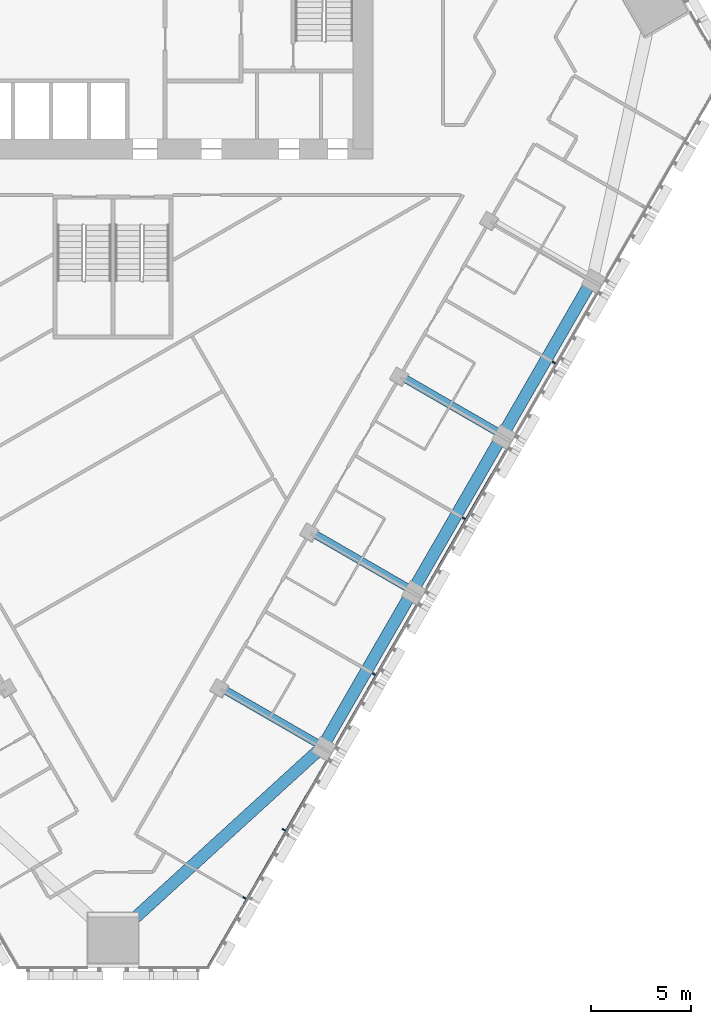
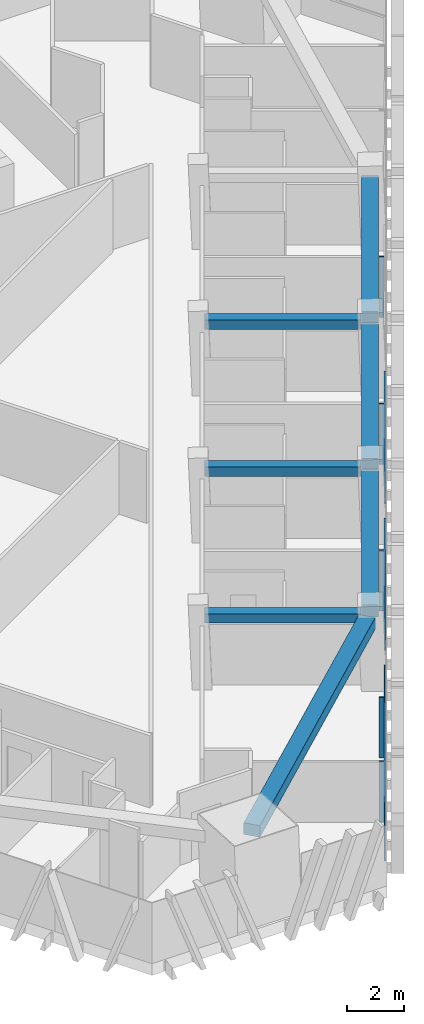
# One storey, part 4 of 18: 8 members, 7 beams, 1 element without a shape of its own.
"""IFC4 building model written with IfcOpenShell, lengths in metres."""

from ifc_helpers import new_model, si_unit, direction, frame, origin, origin_2d, place, context, subcontext, project, spatial, rectangle, extrude, material, layer, layer_set, material_profile, profile_set, type_object, element, aggregate, save


model = new_model("IFC4")

# Units and contexts
model_context = context("Model", 3, precision=1e-05, world=origin(), true_north=direction((0.0, 1.0)))
body_context = subcontext(model_context, "Body", "Model", "MODEL_VIEW")
ifc_project = project(units=[si_unit("LENGTHUNIT", "METRE"), si_unit("AREAUNIT", "SQUARE_METRE"), si_unit("VOLUMEUNIT", "CUBIC_METRE"), si_unit("PLANEANGLEUNIT", "RADIAN"), si_unit("MASSUNIT", "GRAM", prefix="KILO")], contexts=[model_context])

# Site, building, storey
site_placement = place(None, origin())
site = spatial("IfcSite", under=ifc_project, at=site_placement, CompositionType="ELEMENT")
building_placement = place(site_placement, origin())
building = spatial("IfcBuilding", under=site, at=building_placement, Name="Altiplano Prism Tower", CompositionType="ELEMENT")
storey_placement = place(building_placement, frame((0.0, 0.0, 48.60009765625)))
storey = spatial("IfcBuildingStorey", under=building, at=storey_placement, Name="L11", CompositionType="ELEMENT", Elevation=48.60009765625)

# Curtain wall, members
ifc_material_1 = material(Name="Aluminium and glass", Category="aluminium")
ifc_layer = layer(ifc_material_1, 0.280029296875)
ifc_layer_set = layer_set([ifc_layer], Name="Aluminium and glass")
curtain_wall_type = type_object("IfcCurtainWallType", Name="CW1 typical co-living unitised curtain wall", PredefinedType="NOTDEFINED", material=ifc_layer_set)
curtain_wall_placement = place(storey_placement, origin())
curtain_wall = element("IfcCurtainWall", 1, at=curtain_wall_placement, inside=storey, type_object=curtain_wall_type, Name="CW1 curtain wall south-east face L11", PredefinedType="NOTDEFINED")
ifc_material_2 = material(Name="Aluminium", Category="aluminium")
ifc_material_profile_1 = material_profile(ifc_material_2, rectangle(XDim=0.179931640625, YDim=0.06494140625, at=origin_2d()), Name="CW1 mullion 65 x 180")
ifc_profile_set_1 = profile_set([ifc_material_profile_1], Name="Aluminium")
member_type_1 = type_object("IfcMemberType", Name="CW1 mullion 65 x 180", PredefinedType="MULLION", material=ifc_profile_set_1)
member_1_placement = place(storey_placement, frame((91.5732421875, 55.427734375, 0.0), z_axis=(0.0, 0.0, 1.0), x_axis=(-0.866025410076, 0.499999989102, 0.0)))
member_1 = element("IfcMember", 2, at=member_1_placement, type_object=member_type_1, Name="CW1 mullion", PredefinedType="MULLION", context=body_context, shape_type="SweptSolid", body=[
    extrude(rectangle(XDim=0.179931640625, YDim=0.06494140625, at=origin_2d()), origin(), (0.0, 0.0, 1.0), 2.599853515625),
])
member_2_placement = place(storey_placement, frame((93.5419921875, 58.837890625, 0.0), z_axis=(0.0, 0.0, 1.0), x_axis=(-0.866025410076, 0.499999989102, 0.0)))
member_2 = element("IfcMember", 3, at=member_2_placement, type_object=member_type_1, Name="CW1 mullion", PredefinedType="MULLION", context=body_context, shape_type="SweptSolid", body=[
    extrude(rectangle(XDim=0.179931640625, YDim=0.06494140625, at=origin_2d()), origin(), (0.0, 0.0, 1.0), 2.599853515625),
])
member_3_placement = place(storey_placement, frame((98.0419921875, 66.632080078125, 0.0), z_axis=(0.0, 0.0, 1.0), x_axis=(-0.866025410076, 0.499999989102, 0.0)))
member_3 = element("IfcMember", 4, at=member_3_placement, type_object=member_type_1, Name="CW1 mullion", PredefinedType="MULLION", context=body_context, shape_type="SweptSolid", body=[
    extrude(rectangle(XDim=0.179931640625, YDim=0.06494140625, at=origin_2d()), origin(), (0.0, 0.0, 1.0), 2.599853515625),
])
member_4_placement = place(storey_placement, frame((102.5419921875, 74.42626953125, 0.0), z_axis=(0.0, 0.0, 1.0), x_axis=(-0.866025410076, 0.499999989102, 0.0)))
member_4 = element("IfcMember", 5, at=member_4_placement, type_object=member_type_1, Name="CW1 mullion", PredefinedType="MULLION", context=body_context, shape_type="SweptSolid", body=[
    extrude(rectangle(XDim=0.179931640625, YDim=0.06494140625, at=origin_2d()), origin(), (0.0, 0.0, 1.0), 2.599853515625),
])
member_5_placement = place(storey_placement, frame((107.0419921875, 82.220458984375, 0.0), z_axis=(0.0, 0.0, 1.0), x_axis=(-0.866025410076, 0.499999989102, 0.0)))
member_5 = element("IfcMember", 6, at=member_5_placement, type_object=member_type_1, Name="CW1 mullion", PredefinedType="MULLION", context=body_context, shape_type="SweptSolid", body=[
    extrude(rectangle(XDim=0.179931640625, YDim=0.06494140625, at=origin_2d()), origin(), (0.0, 0.0, 1.0), 2.599853515625),
])
ifc_material_profile_2 = material_profile(ifc_material_2, rectangle(XDim=0.06005859375, YDim=0.080078125, at=origin_2d()), Name="CW1 transom 80 x 60")
ifc_profile_set_2 = profile_set([ifc_material_profile_2], Name="Aluminium")
member_type_2 = type_object("IfcMemberType", Name="CW1 transom 80 x 60", PredefinedType="USERDEFINED", material=ifc_profile_set_2)
member_6_placement = place(storey_placement, frame((89.70849609375, 51.957763671875, 1.099853515625), z_axis=(0.499994793925, 0.866028409493, 0.0), x_axis=(-0.866028409493, 0.499994793925, 0.0)))
member_6 = element("IfcMember", 7, at=member_6_placement, type_object=member_type_2, Name="CW1 transom", ObjectType="TRANSOM", PredefinedType="USERDEFINED", context=body_context, shape_type="SweptSolid", body=[
    extrude(rectangle(XDim=0.06005859375, YDim=0.080078125, at=origin_2d()), origin(), (0.0, 0.0, 1.0), 11.924560546875),
])
member_7_placement = place(storey_placement, frame((96.16064453125, 63.133544921875, 1.099853515625), z_axis=(0.500012318566, 0.86601829154, 0.0), x_axis=(-0.86601829154, 0.500012318566, 0.0)))
member_7 = element("IfcMember", 8, at=member_7_placement, type_object=member_type_2, Name="CW1 transom", ObjectType="TRANSOM", PredefinedType="USERDEFINED", context=body_context, shape_type="SweptSolid", body=[
    extrude(rectangle(XDim=0.06005859375, YDim=0.080078125, at=origin_2d()), origin(), (0.0, 0.0, 1.0), 8.019775390625),
])
member_8_placement = place(storey_placement, frame((100.66064453125, 70.927734375, 1.099853515625), z_axis=(0.500012318566, 0.86601829154, 0.0), x_axis=(-0.86601829154, 0.500012318566, 0.0)))
member_8 = element("IfcMember", 9, at=member_8_placement, type_object=member_type_2, Name="CW1 transom", ObjectType="TRANSOM", PredefinedType="USERDEFINED", context=body_context, shape_type="SweptSolid", body=[
    extrude(rectangle(XDim=0.06005859375, YDim=0.080078125, at=origin_2d()), origin(), (0.0, 0.0, 1.0), 8.019775390625),
])
aggregate(curtain_wall, [member_1, member_2, member_6, member_3, member_7, member_4, member_8, member_5])

# Beams
ifc_material_3 = material(Name="Concrete C60/75", Category="concrete")
ifc_material_profile_3 = material_profile(ifc_material_3, rectangle(XDim=0.60009765625, YDim=0.5, at=origin_2d()), Name="Edge beam 600x500")
ifc_profile_set_3 = profile_set([ifc_material_profile_3], Name="Concrete C60/75")
beam_type_1 = type_object("IfcBeamType", Name="Edge beam 600x500", PredefinedType="SPANDREL", material=ifc_profile_set_3)
beam_placement = place(storey_placement, frame((85.332275390625, 53.736572265625, 2.849853515625), z_axis=(0.738656323258, 0.67408221762, 0.0), x_axis=(-0.67408221762, 0.738656323258, 0.0)))
element("IfcBeam", 10, at=beam_placement, inside=storey, type_object=beam_type_1, Name="Edge beam M1-P21 L12", PredefinedType="SPANDREL", context=body_context, shape_type="SweptSolid", body=[
    extrude(rectangle(XDim=0.60009765625, YDim=0.5, at=origin_2d()), origin(), (0.0, 0.0, 1.0), 13.395263671875),
])
for number, where, z_axis, x_axis, name in (
    (11, (95.65185546875, 63.289306640625, 2.849853515625), (0.499992746786, 0.866029591389, 0.0), (-0.866029591389, 0.499992746786, 0.0), "Edge beam P21-P22 L12"),
    (12, (100.15185546875, 71.08349609375, 2.849853515625), (0.499992746786, 0.866029591389, 0.0), (-0.866029591389, 0.499992746786, 0.0), "Edge beam P22-P23 L12"),
    (13, (104.65185546875, 78.877685546875, 2.849853515625), (0.499992746786, 0.866029591389, 0.0), (-0.866029591389, 0.499992746786, 0.0), "Edge beam P23-P24 L12"),
):
    element("IfcBeam", number, at=place(storey_placement, frame(where, z_axis=z_axis, x_axis=x_axis)), inside=storey, type_object=beam_type_1, Name=name, PredefinedType="SPANDREL", context=body_context, shape_type="SweptSolid", body=[
        extrude(rectangle(XDim=0.60009765625, YDim=0.5, at=origin_2d()), origin(), (0.0, 0.0, 1.0), 8.33984375),
    ])
ifc_material_profile_4 = material_profile(ifc_material_3, rectangle(XDim=0.39990234375, YDim=0.39990234375, at=origin_2d()), Name="Tie beam 400x400")
ifc_profile_set_4 = profile_set([ifc_material_profile_4], Name="Concrete C60/75")
beam_type_2 = type_object("IfcBeamType", Name="Tie beam 400x400", PredefinedType="BEAM", material=ifc_profile_set_4)
for number, where, z_axis, x_axis, name in (
    (14, (90.446533203125, 65.91357421875, 2.89990234375), (0.866023410697, -0.500003452112, 0.0), (0.500003452112, 0.866023410697, 0.0), "Tie beam I21 L12"),
    (15, (94.946533203125, 73.707763671875, 2.89990234375), (0.866023410697, -0.500003452112, 0.0), (0.500003452112, 0.866023410697, 0.0), "Tie beam I22 L12"),
    (16, (99.446533203125, 81.501953125, 2.89990234375), (0.866023410697, -0.500003452112, 0.0), (0.500003452112, 0.866023410697, 0.0), "Tie beam I23 L12"),
):
    element("IfcBeam", number, at=place(storey_placement, frame(where, z_axis=z_axis, x_axis=x_axis)), inside=storey, type_object=beam_type_2, Name=name, PredefinedType="BEAM", context=body_context, shape_type="SweptSolid", body=[
        extrude(rectangle(XDim=0.39990234375, YDim=0.39990234375, at=origin_2d()), origin(), (0.0, 0.0, 1.0), 5.490234375),
    ])

save(model, "model.ifc")
